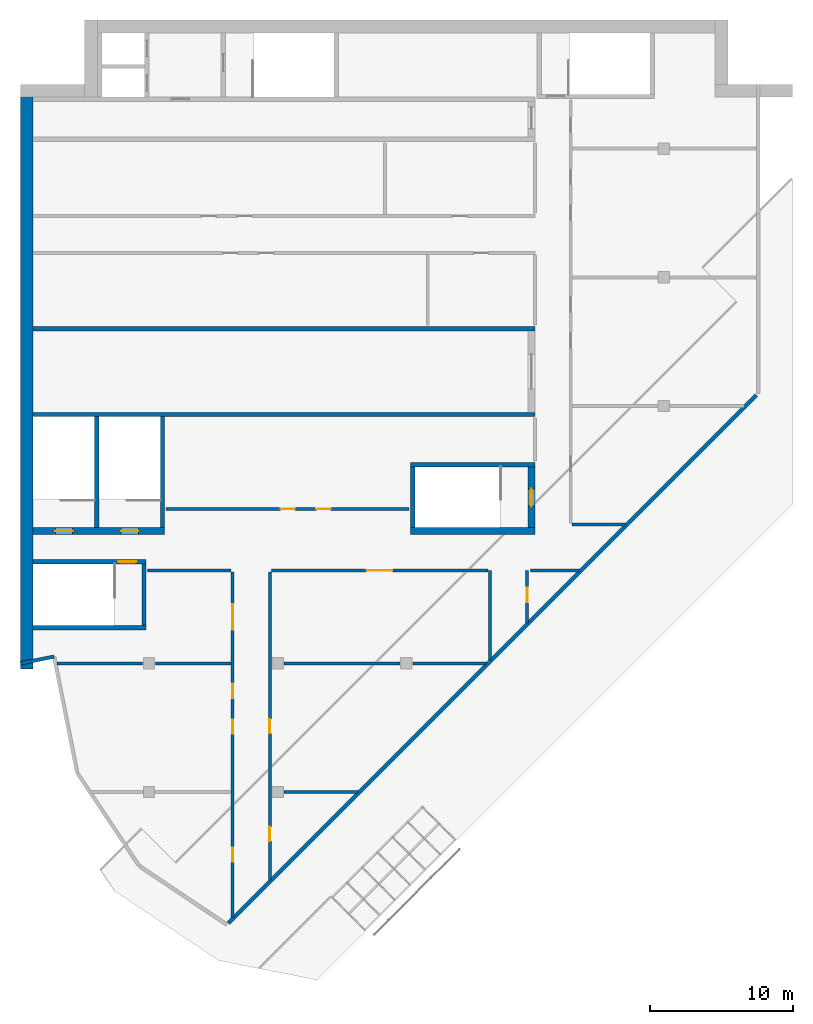
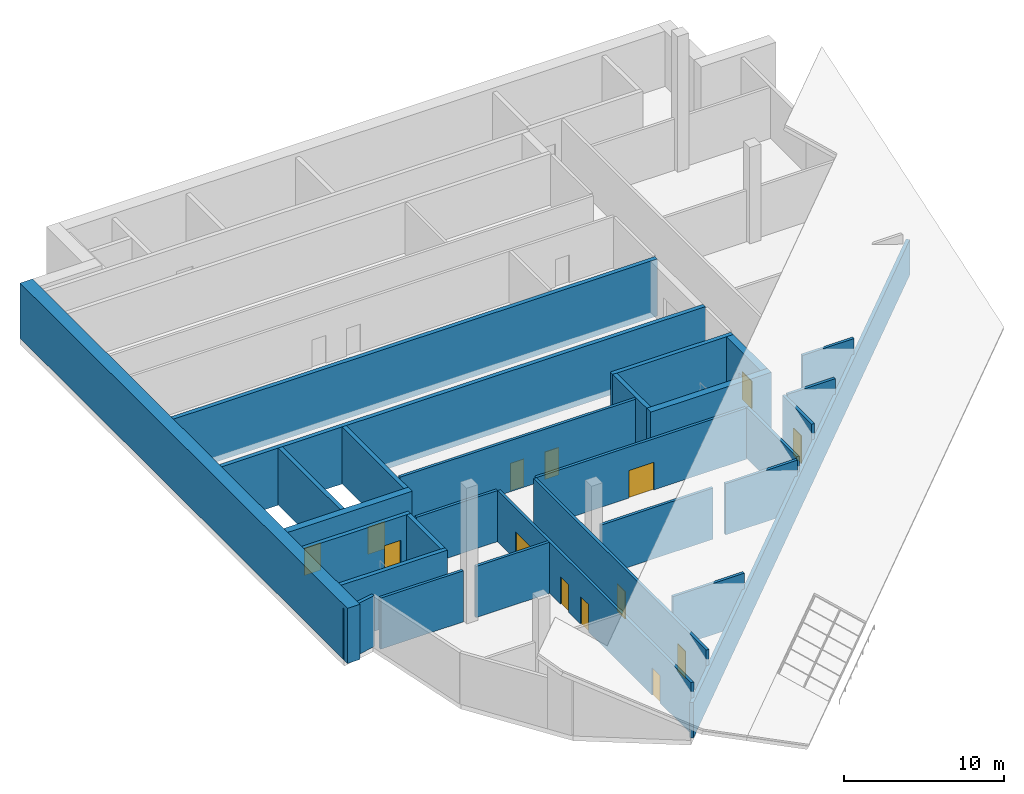
# One storey, part 2 of 5: 29 walls, 14 doors, 14 openings.
"""IFC4 building model written with IfcOpenShell, lengths in metres."""

import ifcopenshell
import ifcopenshell.guid

model = None  # the IFC model being written
_history = None  # IfcOwnerHistory: only IFC2X3 demands one
_inside = {}  # id of a spatial element -> (the spatial element, [elements in it])
_under = {}  # id of a project, library or spatial element -> (it, [spatial elements below it])
_declared = {}  # id of a project -> (the project, [libraries it declares])
_typed = {}  # id of a type object -> (the type object, [elements of that type])
_made_of = {}  # id of a material, layer set ... -> (it, [elements and type objects made of it])


def new_model(schema):
    """Start an empty IFC model of exactly this schema.

    Asked for "IFC4X3", IfcOpenShell would pick the latest addendum, in which some entities
    have other attributes; the version numbers below select the first issue.
    IFC2X3 requires an IfcOwnerHistory on every rooted entity: one is made here for all.
    """
    global model, _history
    if schema == "IFC4X3":
        model = ifcopenshell.file(schema_version=(4, 3, 0, 0))
    else:
        model = ifcopenshell.file(schema=schema)
    _inside.clear()
    _under.clear()
    _declared.clear()
    _typed.clear()
    _made_of.clear()
    _history = None
    if model.schema == "IFC2X3":
        org = make("IfcOrganization", Name="unknown")
        user = make(
            "IfcPersonAndOrganization",
            ThePerson=make("IfcPerson", FamilyName="unknown"),
            TheOrganization=org,
        )
        app = make(
            "IfcApplication",
            ApplicationDeveloper=org,
            Version="unknown",
            ApplicationFullName="unknown",
            ApplicationIdentifier="unknown",
        )
        _history = make(
            "IfcOwnerHistory",
            OwningUser=user,
            OwningApplication=app,
            ChangeAction="ADDED",
            CreationDate=0,
        )
    return model


def make(cls, **values):
    """One entity of the class cls with the attributes given. An attribute that is None is left unset."""
    return model.create_entity(
        cls, **{name: value for name, value in values.items() if value is not None}
    )


def rooted(cls, **values):
    """An entity with a GlobalId (a new one), such as an element, a storey or a relation."""
    return make(cls, GlobalId=ifcopenshell.guid.new(), OwnerHistory=_history, **values)


def si_unit(unit_type, name, prefix=None):
    """IfcSIUnit, for example si_unit("LENGTHUNIT", "METRE", prefix="MILLI")."""
    return make("IfcSIUnit", UnitType=unit_type, Prefix=prefix, Name=name)


def assignment(units):
    """IfcUnitAssignment: the units of a project."""
    return None if units is None else make("IfcUnitAssignment", Units=units)


def point(xyz):
    """IfcCartesianPoint."""
    return None if xyz is None else make("IfcCartesianPoint", Coordinates=xyz)


def direction(xyz):
    """IfcDirection."""
    return None if xyz is None else make("IfcDirection", DirectionRatios=xyz)


def frame(location, z_axis=None, x_axis=None):
    """IfcAxis2Placement3D, a coordinate frame: its origin and axes. An axis left out is left unset."""
    return make(
        "IfcAxis2Placement3D",
        Location=point(location),
        Axis=direction(z_axis),
        RefDirection=direction(x_axis),
    )


def frame_2d(location, x_axis=None):
    """IfcAxis2Placement2D, a coordinate frame in the plane: its origin and x axis."""
    return make(
        "IfcAxis2Placement2D", Location=point(location), RefDirection=direction(x_axis)
    )


def origin():
    """The frame at (0, 0, 0) with its axes left unset."""
    return frame((0.0, 0.0, 0.0))


def place(relative_to, where):
    """IfcLocalPlacement: puts the frame where relative to a parent placement (None: the world)."""
    return make(
        "IfcLocalPlacement", PlacementRelTo=relative_to, RelativePlacement=where
    )


def context(
    kind, dimensions, precision=None, world=None, true_north=None, identifier=None
):
    """IfcGeometricRepresentationContext, for example the 3D "Model" context."""
    return make(
        "IfcGeometricRepresentationContext",
        ContextIdentifier=identifier,
        ContextType=kind,
        CoordinateSpaceDimension=dimensions,
        Precision=precision,
        WorldCoordinateSystem=world,
        TrueNorth=true_north,
    )


def subcontext(parent, identifier, kind, view, scale=None):
    """IfcGeometricRepresentationSubContext, for example "Body" below "Model"."""
    return make(
        "IfcGeometricRepresentationSubContext",
        ContextIdentifier=identifier,
        ContextType=kind,
        ParentContext=parent,
        TargetScale=scale,
        TargetView=view,
    )


def project(units=None, contexts=None):
    """IfcProject with its units and contexts."""
    return rooted(
        "IfcProject",
        Name="project",
        RepresentationContexts=contexts,
        UnitsInContext=assignment(units),
    )


def spatial(cls, under=None, at=None, **own):
    """A site, building, storey or space (cls), placed at a placement, below another one or the project."""
    s = rooted(cls, ObjectPlacement=at, **own)
    if under is not None:
        _under.setdefault(under.id(), (under, []))[1].append(s)
    return s


def polyline(points):
    """IfcPolyline through the points."""
    return make("IfcPolyline", Points=[point(p) for p in points])


def profile(cls, at=None, kind="AREA", **sizes):
    """A parametric profile (cls). Its sizes go by their IFC names, for example OverallWidth=200.0."""
    return make(cls, ProfileType=kind, Position=at, **sizes)


def rectangle(**sizes):
    """IfcRectangleProfileDef."""
    return profile("IfcRectangleProfileDef", **sizes)


def outline(outer, holes=None, kind="AREA"):
    """IfcArbitraryClosedProfileDef: a profile drawn as a closed curve; with holes, ...WithVoids."""
    if holes is None:
        return make("IfcArbitraryClosedProfileDef", ProfileType=kind, OuterCurve=outer)
    return make(
        "IfcArbitraryProfileDefWithVoids",
        ProfileType=kind,
        OuterCurve=outer,
        InnerCurves=holes,
    )


def extrude(swept, where, along, depth):
    """IfcExtrudedAreaSolid: the profile swept, set in the frame where, extruded along a direction by depth."""
    return make(
        "IfcExtrudedAreaSolid",
        SweptArea=swept,
        Position=where,
        ExtrudedDirection=direction(along),
        Depth=depth,
    )


def shape(context_of_items, identifier, shape_type, items):
    """IfcShapeRepresentation: the items that make up one representation, for example the "Body"."""
    return make(
        "IfcShapeRepresentation",
        ContextOfItems=context_of_items,
        RepresentationIdentifier=identifier,
        RepresentationType=shape_type,
        Items=items,
    )


def material(Name=None, Category=None):
    """IfcMaterial."""
    return make("IfcMaterial", Name=Name, Category=Category)


def layer(
    of_material, thickness, ventilated=None, Name=None, Category=None, Priority=None
):
    """IfcMaterialLayer: one layer of a wall or slab, of a material (None: an air gap)."""
    return make(
        "IfcMaterialLayer",
        Material=of_material,
        LayerThickness=thickness,
        IsVentilated=ventilated,
        Name=Name,
        Category=Category,
        Priority=Priority,
    )


def layer_set(layers, Name=None):
    """IfcMaterialLayerSet."""
    return make("IfcMaterialLayerSet", MaterialLayers=layers, LayerSetName=Name)


def made_of(thing, what):
    """Note that an element or type object is made of a material, layer set ...; save() writes the relation."""
    if what is not None:
        _made_of.setdefault(what.id(), (what, []))[1].append(thing)
    return thing


def type_object(cls, material=None, **own):
    """A type object (cls), such as IfcWallType, which elements share."""
    return made_of(rooted(cls, **own), material)


def element(
    cls,
    number,
    at=None,
    inside=None,
    cuts=None,
    type_object=None,
    material=None,
    context=None,
    identifier="Body",
    shape_type=None,
    held_by="IfcProductDefinitionShape",
    body=None,
    shapes=None,
    **own,
):
    """One element of the class cls, such as IfcWall. Its Tag is "e" and its number.

    at: its placement. inside: the storey or other place that contains it. cuts: it is an
    opening in that element (IfcRelVoidsElement). A single representation is given by context,
    identifier, shape_type and body (its items); several are given by shapes. held_by: the class
    of the entity that holds the representations. save() writes the other relations.
    """
    e = rooted(cls, Tag="e%d" % number, ObjectPlacement=at, **own)
    if body is not None:
        shapes = [shape(context, identifier, shape_type, body)]
    if shapes is not None:
        e.Representation = make(held_by, Representations=shapes)
    if inside is not None:
        _inside.setdefault(inside.id(), (inside, []))[1].append(e)
    if cuts is not None:
        rooted(
            "IfcRelVoidsElement", RelatingBuildingElement=cuts, RelatedOpeningElement=e
        )
    if type_object is not None:
        _typed.setdefault(type_object.id(), (type_object, []))[1].append(e)
    return made_of(e, material)


def fill(opening, filler):
    """IfcRelFillsElement: the door or window that sits in an opening."""
    return rooted(
        "IfcRelFillsElement",
        RelatingOpeningElement=opening,
        RelatedBuildingElement=filler,
    )


def aggregate(whole, parts):
    """IfcRelAggregates: a whole, such as a stair, and the parts it consists of."""
    return rooted("IfcRelAggregates", RelatingObject=whole, RelatedObjects=parts)


def save(model, path):
    """Write the relations noted so far, then the file.

    IfcRelAggregates (storeys below a building ...), IfcRelContainedInSpatialStructure (elements
    in a storey), IfcRelDefinesByType, IfcRelAssociatesMaterial and IfcRelDeclares: one each for
    every whole, place, type object, material and project.
    """
    for whole, parts in _under.values():
        aggregate(whole, parts)
    for where, things in _inside.values():
        rooted(
            "IfcRelContainedInSpatialStructure",
            RelatedElements=things,
            RelatingStructure=where,
        )
    for kind, things in _typed.values():
        rooted("IfcRelDefinesByType", RelatedObjects=things, RelatingType=kind)
    for what, things in _made_of.values():
        rooted("IfcRelAssociatesMaterial", RelatedObjects=things, RelatingMaterial=what)
    for by, libraries in _declared.values():
        rooted("IfcRelDeclares", RelatingContext=by, RelatedDefinitions=libraries)
    model.write(path)


model = new_model("IFC4")

# Units and contexts
model_context = context("Model", 3, precision=1e-05, world=origin(), true_north=direction((0.0, 1.0)))
body_context = subcontext(model_context, "Body", "Model", "MODEL_VIEW")
ifc_project = project(units=[si_unit("LENGTHUNIT", "METRE"), si_unit("AREAUNIT", "SQUARE_METRE"), si_unit("VOLUMEUNIT", "CUBIC_METRE"), si_unit("PLANEANGLEUNIT", "RADIAN"), si_unit("MASSUNIT", "GRAM", prefix="KILO")], contexts=[model_context])

# Site, building, storey
site_placement = place(None, origin())
site = spatial("IfcSite", under=ifc_project, at=site_placement, CompositionType="ELEMENT")
building_placement = place(site_placement, origin())
building = spatial("IfcBuilding", under=site, at=building_placement, Name="Hunhe Ridgeline Campus", CompositionType="ELEMENT")
storey_placement = place(building_placement, frame((0.0, 0.0, 307.199951171875)))
storey = spatial("IfcBuildingStorey", under=building, at=storey_placement, Name="L79 Crown", CompositionType="ELEMENT", Elevation=307.199951171875)

# Wall, openings, doors
ifc_material_1 = material(Name="Concrete C50", Category="concrete")
ifc_layer_1 = layer(ifc_material_1, 0.5)
ifc_layer_set_1 = layer_set([ifc_layer_1], Name="Core wall 500 reinforced concrete C50")
wall_type_1 = type_object("IfcWallType", Name="Core wall 500 reinforced concrete C50", PredefinedType="SOLIDWALL", material=ifc_layer_set_1)
wall_1_placement = place(storey_placement, frame((0.89990234375, 63.25, -0.449951171875), z_axis=(0.0, 0.0, 1.0), x_axis=(1.0, 0.0, 0.0)))
wall_1 = element("IfcWall", 1, at=wall_1_placement, inside=storey, type_object=wall_type_1, Name="L79 Crown core wall 3", PredefinedType="SOLIDWALL", context=body_context, shape_type="SweptSolid", body=[
    extrude(rectangle(XDim=9.2001953125, YDim=0.5, at=frame_2d((4.60009765625, 0.0))), origin(), (0.0, 0.0, 1.0), 4.35009765625),
])
opening_1_placement = place(wall_1_placement, frame((1.550048828125, 0.0, 0.449951171875)))
opening_1 = element("IfcOpeningElement", 2, at=opening_1_placement, cuts=wall_1, Name="Opening CD13", PredefinedType="OPENING", context=body_context, shape_type="SweptSolid", body=[
    extrude(rectangle(XDim=1.199951171875, YDim=2.10009765625, at=frame_2d((0.60009765625, 1.050048828125))), frame((0.0, 0.25, 0.0), z_axis=(0.0, -1.0, 0.0), x_axis=(1.0, 0.0, 0.0)), (0.0, 0.0, 1.0), 0.5),
])
opening_2_placement = place(wall_1_placement, frame((6.14990234375, 0.0, 0.449951171875)))
opening_2 = element("IfcOpeningElement", 3, at=opening_2_placement, cuts=wall_1, Name="Opening CD14", PredefinedType="OPENING", context=body_context, shape_type="SweptSolid", body=[
    extrude(rectangle(XDim=1.199951171875, YDim=2.10009765625, at=frame_2d((0.60009765625, 1.050048828125))), frame((0.0, 0.25, 0.0), z_axis=(0.0, -1.0, 0.0), x_axis=(1.0, 0.0, 0.0)), (0.0, 0.0, 1.0), 0.5),
])
ifc_material_2 = material(Name="Hollow metal fire door leaf")
door_type_1 = type_object("IfcDoorType", Name="Stair door 1200x2100 FD60", OperationType="SINGLE_SWING_LEFT", PredefinedType="DOOR", material=ifc_material_2)
door_1_placement = place(opening_1_placement, frame((1.199951171875, 0.0, 0.0), z_axis=(0.0, 0.0, 1.0), x_axis=(-1.0, 0.0, 0.0)))
door_1 = element("IfcDoor", 4, at=door_1_placement, inside=storey, type_object=door_type_1, Name="L79 Crown door S3", OperationType="SINGLE_SWING_LEFT", OverallHeight=2.10009765625, OverallWidth=1.199951171875, PredefinedType="DOOR", context=body_context, shape_type="SweptSolid", body=[
    extrude(rectangle(XDim=1.199951171875, YDim=2.10009765625, at=frame_2d((0.60009765625, 1.050048828125))), frame((0.0, 0.02490234375, 0.0), z_axis=(0.0, -1.0, 0.0), x_axis=(1.0, 0.0, 0.0)), (0.0, 0.0, 1.0), 0.050048828125),
])
fill(opening_1, door_1)
door_2_placement = place(opening_2_placement, frame((1.199951171875, 0.0, 0.0), z_axis=(0.0, 0.0, 1.0), x_axis=(-1.0, 0.0, 0.0)))
door_2 = element("IfcDoor", 5, at=door_2_placement, inside=storey, type_object=door_type_1, Name="L79 Crown door S4", OperationType="SINGLE_SWING_RIGHT", OverallHeight=2.10009765625, OverallWidth=1.199951171875, PredefinedType="DOOR", context=body_context, shape_type="SweptSolid", body=[
    extrude(rectangle(XDim=1.199951171875, YDim=2.10009765625, at=frame_2d((0.60009765625, 1.050048828125))), frame((0.0, 0.02490234375, 0.0), z_axis=(0.0, -1.0, 0.0), x_axis=(1.0, 0.0, 0.0)), (0.0, 0.0, 1.0), 0.050048828125),
])
fill(opening_2, door_2)

# Wall
wall_2_placement = place(storey_placement, frame((27.300048828125, 63.25, -0.449951171875), z_axis=(0.0, 0.0, 1.0), x_axis=(1.0, 0.0, 0.0)))
element("IfcWall", 6, at=wall_2_placement, inside=storey, type_object=wall_type_1, Name="L79 Crown core wall 4", PredefinedType="SOLIDWALL", context=body_context, shape_type="SweptSolid", body=[
    extrude(rectangle(XDim=8.699951171875, YDim=0.5, at=frame_2d((4.35009765625, 0.0))), origin(), (0.0, 0.0, 1.0), 4.35009765625),
])

# Wall, opening, door
wall_3_placement = place(storey_placement, frame((35.75, 63.5, -0.449951171875), z_axis=(0.0, 0.0, 1.0), x_axis=(0.0, 1.0, 0.0)))
wall_3 = element("IfcWall", 7, at=wall_3_placement, inside=storey, type_object=wall_type_1, Name="L79 Crown core wall 20", PredefinedType="SOLIDWALL", context=body_context, shape_type="SweptSolid", body=[
    extrude(rectangle(XDim=4.25, YDim=0.5, at=frame_2d((2.125, 0.0))), origin(), (0.0, 0.0, 1.0), 4.35009765625),
])
opening_3_placement = place(wall_3_placement, frame((1.5, 0.0, 0.449951171875)))
opening_3 = element("IfcOpeningElement", 8, at=opening_3_placement, cuts=wall_3, Name="Opening CD15", PredefinedType="OPENING", context=body_context, shape_type="SweptSolid", body=[
    extrude(rectangle(XDim=1.199951171875, YDim=2.10009765625, at=frame_2d((0.60009765625, 1.050048828125))), frame((0.0, 0.25, 0.0), z_axis=(0.0, -1.0, 0.0), x_axis=(1.0, 0.0, 0.0)), (0.0, 0.0, 1.0), 0.5),
])
door_3_placement = place(opening_3_placement, frame((1.199951171875, 0.0, 0.0), z_axis=(0.0, 0.0, 1.0), x_axis=(-1.0, 0.0, 0.0)))
door_3 = element("IfcDoor", 9, at=door_3_placement, inside=storey, type_object=door_type_1, Name="L79 Crown door S2-FLOOR", OperationType="SINGLE_SWING_LEFT", OverallHeight=2.10009765625, OverallWidth=1.199951171875, PredefinedType="DOOR", context=body_context, shape_type="SweptSolid", body=[
    extrude(rectangle(XDim=1.199951171875, YDim=2.10009765625, at=frame_2d((0.60009765625, 1.050048828125))), frame((0.0, 0.02490234375, 0.0), z_axis=(0.0, -1.0, 0.0), x_axis=(1.0, 0.0, 0.0)), (0.0, 0.0, 1.0), 0.050048828125),
])
fill(opening_3, door_3)

# Walls
ifc_material_3 = material(Name="Gypsum board partition")
ifc_layer_2 = layer(ifc_material_3, 0.199951171875)
ifc_layer_set_2 = layer_set([ifc_layer_2], Name="Corridor partition 200 gypsum board on steel studs")
wall_type_2 = type_object("IfcWallType", Name="Corridor partition 200 gypsum board on steel studs", PredefinedType="PARTITIONING", material=ifc_layer_set_2)
wall_4_placement = place(storey_placement, frame((18.449951171875, 45.0, 0.0), z_axis=(0.0, 0.0, 1.0), x_axis=(1.0, 0.0, 0.0)))
element("IfcWall", 10, at=wall_4_placement, inside=storey, type_object=wall_type_2, Name="F-L79 Crown-wall-003", PredefinedType="PARTITIONING", context=body_context, shape_type="SweptSolid", body=[
    extrude(rectangle(XDim=5.166015625, YDim=0.199951171875, at=frame_2d((2.5830078125, 0.0))), origin(), (0.0, 0.0, 1.0), 3.900146484375),
])
wall_5_placement = place(storey_placement, frame((2.575927734375, 54.0, 0.0), z_axis=(0.0, 0.0, 1.0), x_axis=(1.0, 0.0, 0.0)))
element("IfcWall", 11, at=wall_5_placement, inside=storey, type_object=wall_type_2, Name="F-L79 Crown-wall-004", PredefinedType="PARTITIONING", context=body_context, shape_type="SweptSolid", body=[
    extrude(rectangle(XDim=5.97412109375, YDim=0.199951171875, at=frame_2d((2.987060546875, 0.0))), origin(), (0.0, 0.0, 1.0), 3.900146484375),
])
wall_6_placement = place(storey_placement, frame((9.449951171875, 54.0, 0.0), z_axis=(0.0, 0.0, 1.0), x_axis=(1.0, 0.0, 0.0)))
element("IfcWall", 12, at=wall_6_placement, inside=storey, type_object=wall_type_2, Name="F-L79 Crown-wall-005", PredefinedType="PARTITIONING", context=body_context, shape_type="SweptSolid", body=[
    extrude(rectangle(XDim=5.300048828125, YDim=0.199951171875, at=frame_2d((2.64990234375, 0.0))), origin(), (0.0, 0.0, 1.0), 3.900146484375),
])
wall_7_placement = place(storey_placement, frame((18.449951171875, 54.0, 0.0), z_axis=(0.0, 0.0, 1.0), x_axis=(1.0, 0.0, 0.0)))
element("IfcWall", 13, at=wall_7_placement, inside=storey, type_object=wall_type_2, Name="F-L79 Crown-wall-006", PredefinedType="PARTITIONING", context=body_context, shape_type="SweptSolid", body=[
    extrude(rectangle(XDim=8.10009765625, YDim=0.199951171875, at=frame_2d((4.050048828125, 0.0))), origin(), (0.0, 0.0, 1.0), 3.900146484375),
])
wall_8_placement = place(storey_placement, frame((27.449951171875, 54.0, 0.0), z_axis=(0.0, 0.0, 1.0), x_axis=(1.0, 0.0, 0.0)))
element("IfcWall", 14, at=wall_8_placement, inside=storey, type_object=wall_type_2, Name="F-L79 Crown-wall-007", PredefinedType="PARTITIONING", context=body_context, shape_type="SweptSolid", body=[
    extrude(rectangle(XDim=5.166015625, YDim=0.199951171875, at=frame_2d((2.5830078125, 0.0))), origin(), (0.0, 0.0, 1.0), 3.900146484375),
])
wall_9_placement = place(storey_placement, frame((14.75, 60.5, 0.0), z_axis=(0.0, 0.0, 1.0), x_axis=(-1.0, 0.0, 0.0)))
element("IfcWall", 15, at=wall_9_placement, inside=storey, type_object=wall_type_2, Name="F-L79 Crown-wall-008", PredefinedType="PARTITIONING", context=body_context, shape_type="SweptSolid", body=[
    extrude(rectangle(XDim=5.845947265625, YDim=0.199951171875, at=frame_2d((2.9228515625, 0.0))), origin(), (0.0, 0.0, 1.0), 3.900146484375),
])

# Wall, opening, door
wall_10_placement = place(storey_placement, frame((32.699951171875, 60.5, 0.0), z_axis=(0.0, 0.0, 1.0), x_axis=(-1.0, 0.0, 0.0)))
wall_10 = element("IfcWall", 16, at=wall_10_placement, inside=storey, type_object=wall_type_2, Name="F-L79 Crown-wall-009", PredefinedType="PARTITIONING", context=body_context, shape_type="SweptSolid", body=[
    extrude(rectangle(XDim=15.14990234375, YDim=0.199951171875, at=frame_2d((7.574951171875, 0.0))), origin(), (0.0, 0.0, 1.0), 3.900146484375),
])
opening_4_placement = place(wall_10_placement, frame((6.6748046875, 0.0, 0.0)))
opening_4 = element("IfcOpeningElement", 17, at=opening_4_placement, cuts=wall_10, Name="Opening RD2-008", PredefinedType="OPENING", context=body_context, shape_type="SweptSolid", body=[
    extrude(rectangle(XDim=1.800048828125, YDim=2.10009765625, at=frame_2d((0.89990234375, 1.050048828125))), frame((0.0, 0.10009765625, 0.0), z_axis=(0.0, -1.0, 0.0), x_axis=(1.0, 0.0, 0.0)), (0.0, 0.0, 1.0), 0.199951171875),
])
ifc_material_4 = material(Name="Timber door leaf", Category="wood")
door_type_2 = type_object("IfcDoorType", Name="Double fire door 1800x2100 timber FD60", OperationType="DOUBLE_DOOR_SINGLE_SWING", PredefinedType="DOOR", material=ifc_material_4)
door_4_placement = place(opening_4_placement, origin())
door_4 = element("IfcDoor", 18, at=door_4_placement, inside=storey, type_object=door_type_2, Name="F-L79 Crown-door-008", OperationType="DOUBLE_DOOR_SINGLE_SWING", OverallHeight=2.10009765625, OverallWidth=1.800048828125, PredefinedType="DOOR", context=body_context, shape_type="SweptSolid", body=[
    extrude(rectangle(XDim=1.800048828125, YDim=2.10009765625, at=frame_2d((0.89990234375, 1.050048828125))), frame((0.0, 0.02490234375, 0.0), z_axis=(0.0, -1.0, 0.0), x_axis=(1.0, 0.0, 0.0)), (0.0, 0.0, 1.0), 0.050048828125),
])
fill(opening_4, door_4)

# Walls
wall_11_placement = place(storey_placement, frame((39.115966796875, 60.5, 0.0), z_axis=(0.0, 0.0, 1.0), x_axis=(-1.0, 0.0, 0.0)))
element("IfcWall", 19, at=wall_11_placement, inside=storey, type_object=wall_type_2, Name="F-L79 Crown-wall-010", PredefinedType="PARTITIONING", context=body_context, shape_type="SweptSolid", body=[
    extrude(rectangle(XDim=3.441650390625, YDim=0.199951171875, at=frame_2d((1.720703125, 0.0))), origin(), (0.0, 0.0, 1.0), 3.900146484375),
])
wall_12_placement = place(storey_placement, frame((38.60009765625, 63.699951171875, 0.0), z_axis=(0.0, 0.0, 1.0), x_axis=(1.0, 0.0, 0.0)))
element("IfcWall", 20, at=wall_12_placement, inside=storey, type_object=wall_type_2, Name="F-L79 Crown-wall-011", PredefinedType="PARTITIONING", context=body_context, shape_type="SweptSolid", body=[
    extrude(rectangle(XDim=3.7158203125, YDim=0.199951171875, at=frame_2d((1.85791015625, 0.0))), origin(), (0.0, 0.0, 1.0), 3.900146484375),
])

# Wall, openings, doors
wall_13_placement = place(storey_placement, frame((10.2041015625, 64.800048828125, 0.0), z_axis=(0.0, 0.0, 1.0), x_axis=(1.0, 0.0, 0.0)))
wall_13 = element("IfcWall", 21, at=wall_13_placement, inside=storey, type_object=wall_type_2, Name="F-L79 Crown-wall-012", PredefinedType="PARTITIONING", context=body_context, shape_type="SweptSolid", body=[
    extrude(rectangle(XDim=16.991943359375, YDim=0.199951171875, at=frame_2d((8.49609375, 0.0))), origin(), (0.0, 0.0, 1.0), 3.900146484375),
])
opening_5_placement = place(wall_13_placement, frame((7.99609375, 0.0, 0.0)))
opening_5 = element("IfcOpeningElement", 22, at=opening_5_placement, cuts=wall_13, Name="Opening RD1-009", PredefinedType="OPENING", context=body_context, shape_type="SweptSolid", body=[
    extrude(rectangle(XDim=1.0, YDim=2.10009765625, at=frame_2d((0.5, 1.050048828125))), frame((0.0, 0.10009765625, 0.0), z_axis=(0.0, -1.0, 0.0), x_axis=(1.0, 0.0, 0.0)), (0.0, 0.0, 1.0), 0.199951171875),
])
opening_6_placement = place(wall_13_placement, frame((10.49609375, 0.0, 0.0)))
opening_6 = element("IfcOpeningElement", 23, at=opening_6_placement, cuts=wall_13, Name="Opening RD1-010", PredefinedType="OPENING", context=body_context, shape_type="SweptSolid", body=[
    extrude(rectangle(XDim=1.0, YDim=2.10009765625, at=frame_2d((0.5, 1.050048828125))), frame((0.0, 0.10009765625, 0.0), z_axis=(0.0, -1.0, 0.0), x_axis=(1.0, 0.0, 0.0)), (0.0, 0.0, 1.0), 0.199951171875),
])
door_type_3 = type_object("IfcDoorType", Name="Single fire door 1000x2100 timber FD60", OperationType="NOTDEFINED", PredefinedType="DOOR", material=ifc_material_4)
door_5_placement = place(opening_5_placement, frame((1.0, 0.0, 0.0), z_axis=(0.0, 0.0, 1.0), x_axis=(-1.0, 0.0, 0.0)))
door_5 = element("IfcDoor", 24, at=door_5_placement, inside=storey, type_object=door_type_3, Name="F-L79 Crown-door-009", OperationType="SINGLE_SWING_RIGHT", OverallHeight=2.10009765625, OverallWidth=1.0, PredefinedType="DOOR", context=body_context, shape_type="SweptSolid", body=[
    extrude(rectangle(XDim=1.0, YDim=2.10009765625, at=frame_2d((0.5, 1.050048828125))), frame((0.0, 0.02490234375, 0.0), z_axis=(0.0, -1.0, 0.0), x_axis=(1.0, 0.0, 0.0)), (0.0, 0.0, 1.0), 0.050048828125),
])
fill(opening_5, door_5)
door_6_placement = place(opening_6_placement, frame((1.0, 0.0, 0.0), z_axis=(0.0, 0.0, 1.0), x_axis=(-1.0, 0.0, 0.0)))
door_6 = element("IfcDoor", 25, at=door_6_placement, inside=storey, type_object=door_type_3, Name="F-L79 Crown-door-010", OperationType="SINGLE_SWING_LEFT", OverallHeight=2.10009765625, OverallWidth=1.0, PredefinedType="DOOR", context=body_context, shape_type="SweptSolid", body=[
    extrude(rectangle(XDim=1.0, YDim=2.10009765625, at=frame_2d((0.5, 1.050048828125))), frame((0.0, 0.02490234375, 0.0), z_axis=(0.0, -1.0, 0.0), x_axis=(1.0, 0.0, 0.0)), (0.0, 0.0, 1.0), 0.050048828125),
])
fill(opening_6, door_6)

wall_14_placement = place(storey_placement, frame((14.85009765625, 36.234130859375, 0.0), z_axis=(0.0, 0.0, 1.0), x_axis=(0.0, 1.0, 0.0)))
wall_14 = element("IfcWall", 26, at=wall_14_placement, inside=storey, type_object=wall_type_2, Name="F-L79 Crown-wall-021", PredefinedType="PARTITIONING", context=body_context, shape_type="SweptSolid", body=[
    extrude(rectangle(XDim=24.165771484375, YDim=0.199951171875, at=frame_2d((12.0830078125, 0.0))), origin(), (0.0, 0.0, 1.0), 3.900146484375),
])
opening_7_placement = place(wall_14_placement, frame((3.8818359375, 0.0, 0.0)))
opening_7 = element("IfcOpeningElement", 27, at=opening_7_placement, cuts=wall_14, Name="Opening RD1-001", PredefinedType="OPENING", context=body_context, shape_type="SweptSolid", body=[
    extrude(rectangle(XDim=1.0, YDim=2.10009765625, at=frame_2d((0.5, 1.050048828125))), frame((0.0, 0.10009765625, 0.0), z_axis=(0.0, -1.0, 0.0), x_axis=(1.0, 0.0, 0.0)), (0.0, 0.0, 1.0), 0.199951171875),
])
opening_8_placement = place(wall_14_placement, frame((12.82861328125, 0.0, 0.0)))
opening_8 = element("IfcOpeningElement", 28, at=opening_8_placement, cuts=wall_14, Name="Opening RD1-003", PredefinedType="OPENING", context=body_context, shape_type="SweptSolid", body=[
    extrude(rectangle(XDim=1.0, YDim=2.10009765625, at=frame_2d((0.5, 1.050048828125))), frame((0.0, 0.10009765625, 0.0), z_axis=(0.0, -1.0, 0.0), x_axis=(1.0, 0.0, 0.0)), (0.0, 0.0, 1.0), 0.199951171875),
])
opening_9_placement = place(wall_14_placement, frame((15.32861328125, 0.0, 0.0)))
opening_9 = element("IfcOpeningElement", 29, at=opening_9_placement, cuts=wall_14, Name="Opening RD1-005", PredefinedType="OPENING", context=body_context, shape_type="SweptSolid", body=[
    extrude(rectangle(XDim=1.0, YDim=2.10009765625, at=frame_2d((0.5, 1.050048828125))), frame((0.0, 0.10009765625, 0.0), z_axis=(0.0, -1.0, 0.0), x_axis=(1.0, 0.0, 0.0)), (0.0, 0.0, 1.0), 0.199951171875),
])
opening_10_placement = place(wall_14_placement, frame((20.115478515625, 0.0, 0.0)))
opening_10 = element("IfcOpeningElement", 30, at=opening_10_placement, cuts=wall_14, Name="Opening RD2-006", PredefinedType="OPENING", context=body_context, shape_type="SweptSolid", body=[
    extrude(rectangle(XDim=1.800048828125, YDim=2.10009765625, at=frame_2d((0.89990234375, 1.050048828125))), frame((0.0, 0.10009765625, 0.0), z_axis=(0.0, -1.0, 0.0), x_axis=(1.0, 0.0, 0.0)), (0.0, 0.0, 1.0), 0.199951171875),
])
door_7_placement = place(opening_10_placement, origin())
door_7 = element("IfcDoor", 31, at=door_7_placement, inside=storey, type_object=door_type_2, Name="F-L79 Crown-door-006", OperationType="DOUBLE_DOOR_SINGLE_SWING", OverallHeight=2.10009765625, OverallWidth=1.800048828125, PredefinedType="DOOR", context=body_context, shape_type="SweptSolid", body=[
    extrude(rectangle(XDim=1.800048828125, YDim=2.10009765625, at=frame_2d((0.89990234375, 1.050048828125))), frame((0.0, 0.02490234375, 0.0), z_axis=(0.0, -1.0, 0.0), x_axis=(1.0, 0.0, 0.0)), (0.0, 0.0, 1.0), 0.050048828125),
])
fill(opening_10, door_7)
door_8_placement = place(opening_7_placement, frame((1.0, 0.0, 0.0), z_axis=(0.0, 0.0, 1.0), x_axis=(-1.0, 0.0, 0.0)))
door_8 = element("IfcDoor", 32, at=door_8_placement, inside=storey, type_object=door_type_3, Name="F-L79 Crown-door-001", OperationType="SINGLE_SWING_RIGHT", OverallHeight=2.10009765625, OverallWidth=1.0, PredefinedType="DOOR", context=body_context, shape_type="SweptSolid", body=[
    extrude(rectangle(XDim=1.0, YDim=2.10009765625, at=frame_2d((0.5, 1.050048828125))), frame((0.0, 0.02490234375, 0.0), z_axis=(0.0, -1.0, 0.0), x_axis=(1.0, 0.0, 0.0)), (0.0, 0.0, 1.0), 0.050048828125),
])
fill(opening_7, door_8)
door_9_placement = place(opening_8_placement, frame((1.0, 0.0, 0.0), z_axis=(0.0, 0.0, 1.0), x_axis=(-1.0, 0.0, 0.0)))
door_9 = element("IfcDoor", 33, at=door_9_placement, inside=storey, type_object=door_type_3, Name="F-L79 Crown-door-003", OperationType="SINGLE_SWING_RIGHT", OverallHeight=2.10009765625, OverallWidth=1.0, PredefinedType="DOOR", context=body_context, shape_type="SweptSolid", body=[
    extrude(rectangle(XDim=1.0, YDim=2.10009765625, at=frame_2d((0.5, 1.050048828125))), frame((0.0, 0.02490234375, 0.0), z_axis=(0.0, -1.0, 0.0), x_axis=(1.0, 0.0, 0.0)), (0.0, 0.0, 1.0), 0.050048828125),
])
fill(opening_8, door_9)
door_10_placement = place(opening_9_placement, frame((1.0, 0.0, 0.0), z_axis=(0.0, 0.0, 1.0), x_axis=(-1.0, 0.0, 0.0)))
door_10 = element("IfcDoor", 34, at=door_10_placement, inside=storey, type_object=door_type_3, Name="F-L79 Crown-door-005", OperationType="SINGLE_SWING_LEFT", OverallHeight=2.10009765625, OverallWidth=1.0, PredefinedType="DOOR", context=body_context, shape_type="SweptSolid", body=[
    extrude(rectangle(XDim=1.0, YDim=2.10009765625, at=frame_2d((0.5, 1.050048828125))), frame((0.0, 0.02490234375, 0.0), z_axis=(0.0, -1.0, 0.0), x_axis=(1.0, 0.0, 0.0)), (0.0, 0.0, 1.0), 0.050048828125),
])
fill(opening_9, door_10)

wall_15_placement = place(storey_placement, frame((17.449951171875, 60.39990234375, 0.0), z_axis=(0.0, 0.0, 1.0), x_axis=(0.0, -1.0, 0.0)))
wall_15 = element("IfcWall", 35, at=wall_15_placement, inside=storey, type_object=wall_type_2, Name="F-L79 Crown-wall-022", PredefinedType="PARTITIONING", context=body_context, shape_type="SweptSolid", body=[
    extrude(rectangle(XDim=21.565673828125, YDim=0.199951171875, at=frame_2d((10.78271484375, 0.0))), origin(), (0.0, 0.0, 1.0), 3.900146484375),
])
opening_11_placement = place(wall_15_placement, frame((17.830078125, 0.0, 0.0)))
opening_11 = element("IfcOpeningElement", 36, at=opening_11_placement, cuts=wall_15, Name="Opening RD1-002", PredefinedType="OPENING", context=body_context, shape_type="SweptSolid", body=[
    extrude(rectangle(XDim=1.0, YDim=2.10009765625, at=frame_2d((0.5, 1.050048828125))), frame((0.0, 0.10009765625, 0.0), z_axis=(0.0, -1.0, 0.0), x_axis=(1.0, 0.0, 0.0)), (0.0, 0.0, 1.0), 0.199951171875),
])
opening_12_placement = place(wall_15_placement, frame((10.29736328125, 0.0, 0.0)))
opening_12 = element("IfcOpeningElement", 37, at=opening_12_placement, cuts=wall_15, Name="Opening RD1-004", PredefinedType="OPENING", context=body_context, shape_type="SweptSolid", body=[
    extrude(rectangle(XDim=1.0, YDim=2.10009765625, at=frame_2d((0.5, 1.050048828125))), frame((0.0, 0.10009765625, 0.0), z_axis=(0.0, -1.0, 0.0), x_axis=(1.0, 0.0, 0.0)), (0.0, 0.0, 1.0), 0.199951171875),
])
door_11_placement = place(opening_11_placement, frame((1.0, 0.0, 0.0), z_axis=(0.0, 0.0, 1.0), x_axis=(-1.0, 0.0, 0.0)))
door_11 = element("IfcDoor", 38, at=door_11_placement, inside=storey, type_object=door_type_3, Name="F-L79 Crown-door-002", OperationType="SINGLE_SWING_RIGHT", OverallHeight=2.10009765625, OverallWidth=1.0, PredefinedType="DOOR", context=body_context, shape_type="SweptSolid", body=[
    extrude(rectangle(XDim=1.0, YDim=2.10009765625, at=frame_2d((0.5, 1.050048828125))), frame((0.0, 0.02490234375, 0.0), z_axis=(0.0, -1.0, 0.0), x_axis=(1.0, 0.0, 0.0)), (0.0, 0.0, 1.0), 0.050048828125),
])
fill(opening_11, door_11)
door_12_placement = place(opening_12_placement, frame((1.0, 0.0, 0.0), z_axis=(0.0, 0.0, 1.0), x_axis=(-1.0, 0.0, 0.0)))
door_12 = element("IfcDoor", 39, at=door_12_placement, inside=storey, type_object=door_type_3, Name="F-L79 Crown-door-004", OperationType="SINGLE_SWING_RIGHT", OverallHeight=2.10009765625, OverallWidth=1.0, PredefinedType="DOOR", context=body_context, shape_type="SweptSolid", body=[
    extrude(rectangle(XDim=1.0, YDim=2.10009765625, at=frame_2d((0.5, 1.050048828125))), frame((0.0, 0.02490234375, 0.0), z_axis=(0.0, -1.0, 0.0), x_axis=(1.0, 0.0, 0.0)), (0.0, 0.0, 1.0), 0.050048828125),
])
fill(opening_12, door_12)

# Wall
wall_16_placement = place(storey_placement, frame((32.85009765625, 54.234130859375, 0.0), z_axis=(0.0, 0.0, 1.0), x_axis=(0.0, 1.0, 0.0)))
element("IfcWall", 40, at=wall_16_placement, inside=storey, type_object=wall_type_2, Name="F-L79 Crown-wall-025", PredefinedType="PARTITIONING", context=body_context, shape_type="SweptSolid", body=[
    extrude(rectangle(XDim=6.265869140625, YDim=0.199951171875, at=frame_2d((3.1328125, 0.0))), origin(), (0.0, 0.0, 1.0), 3.900146484375),
])

# Wall, opening, door
wall_17_placement = place(storey_placement, frame((35.449951171875, 60.5, 0.0), z_axis=(0.0, 0.0, 1.0), x_axis=(0.0, -1.0, 0.0)))
wall_17 = element("IfcWall", 41, at=wall_17_placement, inside=storey, type_object=wall_type_2, Name="F-L79 Crown-wall-026", PredefinedType="PARTITIONING", context=body_context, shape_type="SweptSolid", body=[
    extrude(rectangle(XDim=3.665771484375, YDim=0.199951171875, at=frame_2d((1.8330078125, 0.0))), origin(), (0.0, 0.0, 1.0), 3.900146484375),
])
opening_13_placement = place(wall_17_placement, frame((1.21533203125, 0.0, 0.0)))
opening_13 = element("IfcOpeningElement", 42, at=opening_13_placement, cuts=wall_17, Name="Opening RD1-007", PredefinedType="OPENING", context=body_context, shape_type="SweptSolid", body=[
    extrude(rectangle(XDim=1.0, YDim=2.10009765625, at=frame_2d((0.5, 1.050048828125))), frame((0.0, 0.10009765625, 0.0), z_axis=(0.0, -1.0, 0.0), x_axis=(1.0, 0.0, 0.0)), (0.0, 0.0, 1.0), 0.199951171875),
])
door_13_placement = place(opening_13_placement, origin())
door_13 = element("IfcDoor", 43, at=door_13_placement, inside=storey, type_object=door_type_3, Name="F-L79 Crown-door-007", OperationType="SINGLE_SWING_LEFT", OverallHeight=2.10009765625, OverallWidth=1.0, PredefinedType="DOOR", context=body_context, shape_type="SweptSolid", body=[
    extrude(rectangle(XDim=1.0, YDim=2.10009765625, at=frame_2d((0.5, 1.050048828125))), frame((0.0, 0.02490234375, 0.0), z_axis=(0.0, -1.0, 0.0), x_axis=(1.0, 0.0, 0.0)), (0.0, 0.0, 1.0), 0.050048828125),
])
fill(opening_13, door_13)

# Walls
ifc_layer_3 = layer(ifc_material_1, 0.25)
ifc_layer_set_3 = layer_set([ifc_layer_3], Name="Crown cladding wall 250 Concrete C50")
wall_type_3 = type_object("IfcWallType", Name="Crown cladding wall 250 Concrete C50", PredefinedType="SOLIDWALL", material=ifc_layer_set_3)
wall_18_placement = place(storey_placement, frame((0.0, 54.0009765625, 0.0), z_axis=(0.0, 0.0, 1.0), x_axis=(0.980834085577, 0.194844801241, 0.0)))
element("IfcWall", 44, at=wall_18_placement, inside=storey, type_object=wall_type_3, Name="Crown cladding wall", PredefinedType="SOLIDWALL", context=body_context, shape_type="SweptSolid", body=[
    extrude(rectangle(XDim=2.400634765625, YDim=0.25, at=frame_2d((1.2001953125, 0.0))), origin(), (0.0, 0.0, 1.0), 3.900146484375),
])
ifc_material_5 = material(Name="Concrete C30", Category="concrete")
ifc_layer_4 = layer(ifc_material_5, 0.25)
ifc_layer_set_4 = layer_set([ifc_layer_4], Name="Crown low-edge wall 250 Concrete C30")
wall_type_4 = type_object("IfcWallType", Name="Crown low-edge wall 250 Concrete C30", PredefinedType="SOLIDWALL", material=ifc_layer_set_4)
wall_19_placement = place(storey_placement, frame((51.483642578125, 72.7626953125, 0.0), z_axis=(0.0, 0.0, 1.0), x_axis=(-0.707106781187, -0.707106781187, 0.0)))
element("IfcWall", 45, at=wall_19_placement, inside=storey, type_object=wall_type_4, Name="Crown low-edge wall", PredefinedType="SOLIDWALL", context=body_context, shape_type="SweptSolid", body=[
    extrude(rectangle(XDim=52.220703125, YDim=0.25, at=frame_2d((26.1103515625, 0.0))), origin(), (0.0, 0.0, 1.0), 2.699951171875),
])
ifc_layer_5 = layer(ifc_material_1, 0.300048828125)
ifc_layer_set_5 = layer_set([ifc_layer_5], Name="Lobby wall 300 reinforced concrete C50")
wall_type_5 = type_object("IfcWallType", Name="Lobby wall 300 reinforced concrete C50", PredefinedType="SOLIDWALL", material=ifc_layer_set_5)
wall_20_placement = place(storey_placement, frame((0.89990234375, 77.39990234375, -0.449951171875), z_axis=(0.0, 0.0, 1.0), x_axis=(1.0, 0.0, 0.0)))
element("IfcWall", 46, at=wall_20_placement, inside=storey, type_object=wall_type_5, Name="L79 Crown core wall 7", PredefinedType="SOLIDWALL", context=body_context, shape_type="SweptSolid", body=[
    extrude(rectangle(XDim=35.10009765625, YDim=0.300048828125, at=frame_2d((17.550048828125, 0.0))), origin(), (0.0, 0.0, 1.0), 4.35009765625),
])
ifc_layer_6 = layer(ifc_material_1, 0.89990234375)
ifc_layer_set_6 = layer_set([ifc_layer_6], Name="Spine wall 900 Concrete C50")
wall_type_6 = type_object("IfcWallType", Name="Spine wall 900 Concrete C50", PredefinedType="SHEAR", material=ifc_layer_set_6)
wall_21_placement = place(storey_placement, frame((0.449951171875, 94.5, 0.0), z_axis=(0.0, 0.0, 1.0), x_axis=(0.0, -1.0, 0.0)))
element("IfcWall", 47, at=wall_21_placement, inside=storey, type_object=wall_type_6, Name="Spine wall SW4-1 L79 Crown", PredefinedType="SHEAR", context=body_context, shape_type="SweptSolid", body=[
    extrude(outline(polyline([(0.0, 0.0), (40.90576171875, 0.0), (40.90576171875, 4.199951171875), (0.0, 4.199951171875), (0.0, 0.0)])), frame((0.0, 0.449951171875, 0.0), z_axis=(0.0, -1.0, 0.0), x_axis=(1.0, 0.0, 0.0)), (0.0, 0.0, 1.0), 0.89990234375),
])
ifc_layer_7 = layer(ifc_material_1, 0.300048828125)
ifc_layer_set_7 = layer_set([ifc_layer_7], Name="Stair wall 300 reinforced concrete C50")
wall_type_7 = type_object("IfcWallType", Name="Stair wall 300 reinforced concrete C50", PredefinedType="SOLIDWALL", material=ifc_layer_set_7)
wall_22_placement = place(storey_placement, frame((0.89990234375, 56.5, -0.449951171875), z_axis=(0.0, 0.0, 1.0), x_axis=(1.0, 0.0, 0.0)))
element("IfcWall", 48, at=wall_22_placement, inside=storey, type_object=wall_type_7, Name="L79 Crown core wall 1", PredefinedType="SOLIDWALL", context=body_context, shape_type="SweptSolid", body=[
    extrude(rectangle(XDim=7.900146484375, YDim=0.300048828125, at=frame_2d((3.9501953125, 0.0))), origin(), (0.0, 0.0, 1.0), 4.35009765625),
])

# Wall, opening, door
wall_23_placement = place(storey_placement, frame((0.89990234375, 61.10009765625, -0.449951171875), z_axis=(0.0, 0.0, 1.0), x_axis=(1.0, 0.0, 0.0)))
wall_23 = element("IfcWall", 49, at=wall_23_placement, inside=storey, type_object=wall_type_7, Name="L79 Crown core wall 2", PredefinedType="SOLIDWALL", context=body_context, shape_type="SweptSolid", body=[
    extrude(rectangle(XDim=7.900146484375, YDim=0.300048828125, at=frame_2d((3.9501953125, 0.0))), origin(), (0.0, 0.0, 1.0), 4.35009765625),
])
opening_14_placement = place(wall_23_placement, frame((6.0, 0.0, 0.449951171875)))
opening_14 = element("IfcOpeningElement", 50, at=opening_14_placement, cuts=wall_23, Name="Opening CD22", PredefinedType="OPENING", context=body_context, shape_type="SweptSolid", body=[
    extrude(rectangle(XDim=1.199951171875, YDim=2.10009765625, at=frame_2d((0.60009765625, 1.050048828125))), frame((0.0, 0.14990234375, 0.0), z_axis=(0.0, -1.0, 0.0), x_axis=(1.0, 0.0, 0.0)), (0.0, 0.0, 1.0), 0.300048828125),
])
door_14_placement = place(opening_14_placement, origin())
door_14 = element("IfcDoor", 51, at=door_14_placement, inside=storey, type_object=door_type_1, Name="L79 Crown door W2", OperationType="SINGLE_SWING_LEFT", OverallHeight=2.10009765625, OverallWidth=1.199951171875, PredefinedType="DOOR", context=body_context, shape_type="SweptSolid", body=[
    extrude(rectangle(XDim=1.199951171875, YDim=2.10009765625, at=frame_2d((0.60009765625, 1.050048828125))), frame((0.0, 0.02490234375, 0.0), z_axis=(0.0, -1.0, 0.0), x_axis=(1.0, 0.0, 0.0)), (0.0, 0.0, 1.0), 0.050048828125),
])
fill(opening_14, door_14)

# Walls
wall_24_placement = place(storey_placement, frame((27.300048828125, 67.89990234375, -0.449951171875), z_axis=(0.0, 0.0, 1.0), x_axis=(1.0, 0.0, 0.0)))
element("IfcWall", 52, at=wall_24_placement, inside=storey, type_object=wall_type_7, Name="L79 Crown core wall 5", PredefinedType="SOLIDWALL", context=body_context, shape_type="SweptSolid", body=[
    extrude(rectangle(XDim=8.699951171875, YDim=0.300048828125, at=frame_2d((4.35009765625, 0.0))), origin(), (0.0, 0.0, 1.0), 4.35009765625),
])
wall_25_placement = place(storey_placement, frame((0.89990234375, 71.39990234375, -0.449951171875), z_axis=(0.0, 0.0, 1.0), x_axis=(1.0, 0.0, 0.0)))
element("IfcWall", 53, at=wall_25_placement, inside=storey, type_object=wall_type_7, Name="L79 Crown core wall 6", PredefinedType="SOLIDWALL", context=body_context, shape_type="SweptSolid", body=[
    extrude(rectangle(XDim=35.10009765625, YDim=0.300048828125, at=frame_2d((17.550048828125, 0.0))), origin(), (0.0, 0.0, 1.0), 4.35009765625),
])
wall_26_placement = place(storey_placement, frame((5.35009765625, 63.5, -0.449951171875), z_axis=(0.0, 0.0, 1.0), x_axis=(0.0, 1.0, 0.0)))
element("IfcWall", 54, at=wall_26_placement, inside=storey, type_object=wall_type_7, Name="L79 Crown core wall 12", PredefinedType="SOLIDWALL", context=body_context, shape_type="SweptSolid", body=[
    extrude(rectangle(XDim=7.75, YDim=0.300048828125, at=frame_2d((3.875, 0.0))), origin(), (0.0, 0.0, 1.0), 4.35009765625),
])
wall_27_placement = place(storey_placement, frame((8.64990234375, 56.64990234375, -0.449951171875), z_axis=(0.0, 0.0, 1.0), x_axis=(0.0, 1.0, 0.0)))
element("IfcWall", 55, at=wall_27_placement, inside=storey, type_object=wall_type_7, Name="L79 Crown core wall 14", PredefinedType="SOLIDWALL", context=body_context, shape_type="SweptSolid", body=[
    extrude(rectangle(XDim=4.300048828125, YDim=0.300048828125, at=frame_2d((2.14990234375, 0.0))), origin(), (0.0, 0.0, 1.0), 4.35009765625),
])
wall_28_placement = place(storey_placement, frame((9.949951171875, 63.5, -0.449951171875), z_axis=(0.0, 0.0, 1.0), x_axis=(0.0, 1.0, 0.0)))
element("IfcWall", 56, at=wall_28_placement, inside=storey, type_object=wall_type_7, Name="L79 Crown core wall 16", PredefinedType="SOLIDWALL", context=body_context, shape_type="SweptSolid", body=[
    extrude(rectangle(XDim=7.75, YDim=0.300048828125, at=frame_2d((3.875, 0.0))), origin(), (0.0, 0.0, 1.0), 4.35009765625),
])
wall_29_placement = place(storey_placement, frame((27.449951171875, 63.5, -0.449951171875), z_axis=(0.0, 0.0, 1.0), x_axis=(0.0, 1.0, 0.0)))
element("IfcWall", 57, at=wall_29_placement, inside=storey, type_object=wall_type_7, Name="L79 Crown core wall 19", PredefinedType="SOLIDWALL", context=body_context, shape_type="SweptSolid", body=[
    extrude(rectangle(XDim=4.25, YDim=0.300048828125, at=frame_2d((2.125, 0.0))), origin(), (0.0, 0.0, 1.0), 4.35009765625),
])

save(model, "model.ifc")
